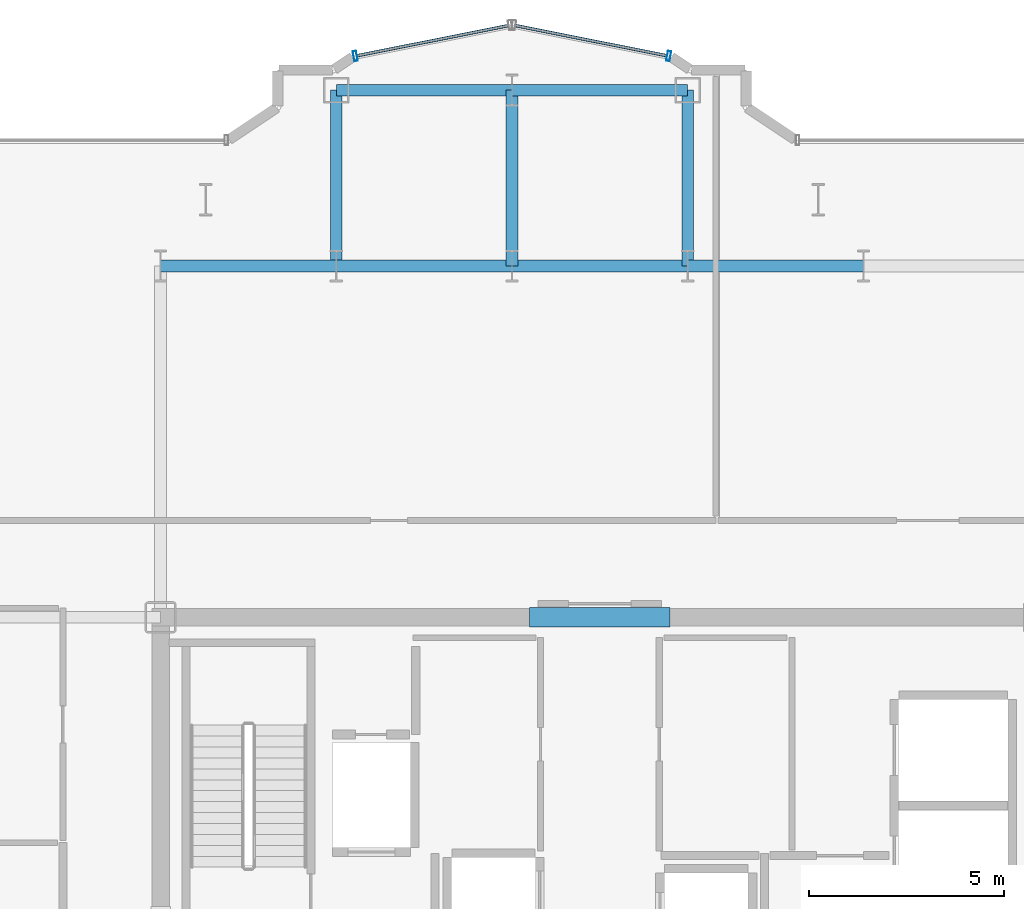
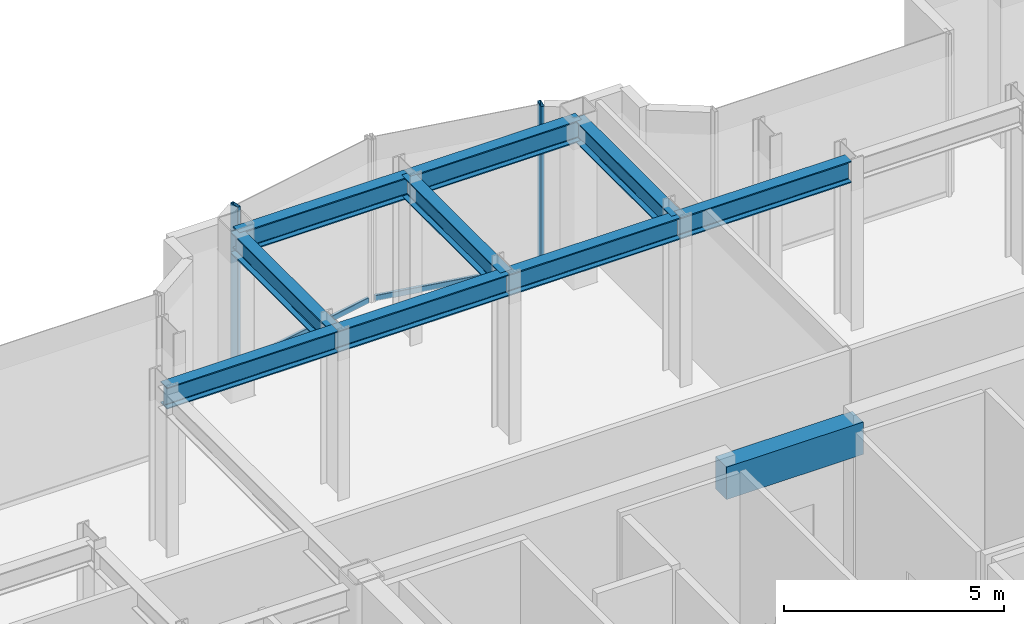
# One storey, part 9 of 20: 10 beams, 4 members, 2 elements without a shape of their own.
"""IFC4 building model written with IfcOpenShell, lengths in metres."""

from ifc_helpers import new_model, si_unit, direction, frame, origin, origin_2d, place, context, subcontext, project, spatial, rectangle, hollow_rectangle, i_section, extrude, source, transform, mapped, material, layer, layer_set, material_profile, profile_set, type_object, element, aggregate, save


model = new_model("IFC4")

# Units and contexts
model_context = context("Model", 3, precision=1e-05, world=origin(), true_north=direction((0.0, 1.0)))
body_context = subcontext(model_context, "Body", "Model", "MODEL_VIEW")
ifc_project = project(units=[si_unit("LENGTHUNIT", "METRE"), si_unit("AREAUNIT", "SQUARE_METRE"), si_unit("VOLUMEUNIT", "CUBIC_METRE"), si_unit("PLANEANGLEUNIT", "RADIAN"), si_unit("MASSUNIT", "GRAM", prefix="KILO")], contexts=[model_context])

# Site, building, storey
site_placement = place(None, origin())
site = spatial("IfcSite", under=ifc_project, at=site_placement, CompositionType="ELEMENT")
building_placement = place(site_placement, origin())
building = spatial("IfcBuilding", under=site, at=building_placement, Name="Nefas-Gora Pilgrimage Tower", CompositionType="ELEMENT")
storey_placement = place(building_placement, frame((0.0, 0.0, 259.800048828125)))
storey = spatial("IfcBuildingStorey", under=building, at=storey_placement, Name="L65", CompositionType="ELEMENT", Elevation=259.800048828125)

# Beams
ifc_material_1 = material(Name="Concrete C50/60", Category="concrete")
ifc_material_profile_1 = material_profile(ifc_material_1, rectangle(XDim=0.5, YDim=0.89990234375, at=origin_2d()), Name="RC 500x900")
ifc_profile_set_1 = profile_set([ifc_material_profile_1], Name="Concrete C50/60")
beam_type_1 = type_object("IfcBeamType", Name="BM-LIN-RC900", PredefinedType="LINTEL", material=ifc_profile_set_1)
shared_shape_1 = source(origin(), body_context, "Body", "SweptSolid", [
    extrude(rectangle(XDim=0.5, YDim=0.89990234375, at=origin_2d()), origin(), (0.0, 0.0, 1.0), 3.60009765625),
])
beam_placement = place(storey_placement, frame((-1.800048828125, 9.0, 4.099853515625), z_axis=(1.0, 0.0, 0.0), x_axis=(0.0, 1.0, 0.0)))
element("IfcBeam", 1, at=beam_placement, inside=storey, type_object=beam_type_1, Name="L65 Core Coupling Lintel Beam N", PredefinedType="LINTEL", context=body_context, shape_type="MappedRepresentation", body=[
    mapped(shared_shape_1, transform((0.0, 0.0, 0.0), x_axis=(1.0, 0.0, 0.0), y_axis=(0.0, 1.0, 0.0), z_axis=(0.0, 0.0, 1.0), scale=1.0)),
])
ifc_material_2 = material(Name="Steel S355", Category="steel")
ifc_material_profile_2 = material_profile(ifc_material_2, i_section(OverallWidth=0.300048828125, OverallDepth=0.60009765625, WebThickness=0.015380859375, FlangeThickness=0.030029296875, FilletRadius=0.027099609375, at=origin_2d()), Name="HEB 600")
ifc_profile_set_2 = profile_set([ifc_material_profile_2], Name="Steel S355")
beam_type_2 = type_object("IfcBeamType", Name="BM-GIR-HEB600", PredefinedType="BEAM", material=ifc_profile_set_2)
shared_shape_2 = source(origin(), body_context, "Body", "SweptSolid", [
    extrude(i_section(OverallWidth=0.300048828125, OverallDepth=0.60009765625, WebThickness=0.015380859375, FlangeThickness=0.030029296875, FilletRadius=0.027099609375, at=origin_2d()), origin(), (0.0, 0.0, 1.0), 4.5),
])
for number, where, z_axis, x_axis, name in (
    (2, (-11.25, 18.0, 4.25), (1.0, 0.0, 0.0), (0.0, 1.0, 0.0), "L65 G-04 beam"),
    (3, (-6.75, 18.0, 4.25), (0.0, 1.0, 0.0), (-1.0, 0.0, 0.0), "L65 G-04 beam"),
    (4, (-6.75, 18.0, 4.25), (1.0, 0.0, 0.0), (0.0, 1.0, 0.0), "L65 G-04 beam"),
    (5, (-6.75, 22.5, 4.25), (1.0, 0.0, 0.0), (0.0, 1.0, 0.0), "L65 G-04 beam"),
    (6, (-2.25, 18.0, 4.25), (0.0, 1.0, 0.0), (-1.0, 0.0, 0.0), "L65 G-04 beam"),
    (7, (-2.25, 18.0, 4.25), (1.0, 0.0, 0.0), (0.0, 1.0, 0.0), "L65 G-04 beam"),
    (8, (-2.25, 22.5, 4.25), (1.0, 0.0, 0.0), (0.0, 1.0, 0.0), "L65 G-04 beam"),
    (9, (2.25, 18.0, 4.25), (0.0, 1.0, 0.0), (-1.0, 0.0, 0.0), "L65 G-04 beam"),
    (10, (2.25, 18.0, 4.25), (1.0, 0.0, 0.0), (0.0, 1.0, 0.0), "L65 G-04 beam"),
):
    element("IfcBeam", number, at=place(storey_placement, frame(where, z_axis=z_axis, x_axis=x_axis)), inside=storey, type_object=beam_type_2, Name=name, PredefinedType="BEAM", context=body_context, shape_type="MappedRepresentation", body=[
        mapped(shared_shape_2, transform((0.0, 0.0, 0.0), x_axis=(1.0, 0.0, 0.0), y_axis=(0.0, 1.0, 0.0), z_axis=(0.0, 0.0, 1.0), scale=1.0)),
    ])

# Curtain wall, member
ifc_material_3 = material(Name="Dark ceramic-fritted solar-control aluminium-glass curtain wall", Category="aluminium")
ifc_layer = layer(ifc_material_3, 0.219970703125)
ifc_layer_set = layer_set([ifc_layer], Name="Dark ceramic-fritted solar-control aluminium-glass curtain wall")
curtain_wall_type = type_object("IfcCurtainWallType", Name="CW-SYS-5", PredefinedType="NOTDEFINED", material=ifc_layer_set)
curtain_wall_1_placement = place(storey_placement, origin())
curtain_wall_1 = element("IfcCurtainWall", 11, at=curtain_wall_1_placement, inside=storey, type_object=curtain_wall_type, Name="L65 Unitised Curtain Wall CW5", PredefinedType="NOTDEFINED")
ifc_material_4 = material(Name="Anodised architectural aluminium", Category="aluminium")
ifc_material_profile_3 = material_profile(ifc_material_4, hollow_rectangle(XDim=0.080078125, YDim=0.159912109375, WallThickness=0.00439453125, InnerFilletRadius=0.00439453125, OuterFilletRadius=0.009033203125, at=origin_2d()), Name="ALU TRANSOM 80x160")
ifc_profile_set_3 = profile_set([ifc_material_profile_3], Name="Anodised architectural aluminium")
member_type_1 = type_object("IfcMemberType", Name="CWM-TRN-5", PredefinedType="USERDEFINED", material=ifc_profile_set_3)
shared_shape_3 = source(origin(), body_context, "Body", "SweptSolid", [
    extrude(hollow_rectangle(XDim=0.080078125, YDim=0.159912109375, WallThickness=0.00439453125, InnerFilletRadius=0.00439453125, OuterFilletRadius=0.009033203125, at=origin_2d()), origin(), (0.0, 0.0, 1.0), 3.95654296875),
])
member_1_placement = place(storey_placement, frame((1.718994140625, 23.3828125, 0.050048828125), z_axis=(-0.980781880918, 0.195107411605, 0.0), x_axis=(-0.195107411605, -0.980781880918, 0.0)))
member_1 = element("IfcMember", 12, at=member_1_placement, type_object=member_type_1, Name="CW5 Spandrel Transom", ObjectType="TRANSOM", PredefinedType="USERDEFINED", context=body_context, shape_type="MappedRepresentation", body=[
    mapped(shared_shape_3, transform((0.0, 0.0, 0.0), x_axis=(1.0, 0.0, 0.0), y_axis=(0.0, 1.0, 0.0), z_axis=(0.0, 0.0, 1.0), scale=1.0)),
])

curtain_wall_2_placement = place(storey_placement, origin())
curtain_wall_2 = element("IfcCurtainWall", 13, at=curtain_wall_2_placement, inside=storey, type_object=curtain_wall_type, Name="L65 Unitised Curtain Wall CW5", PredefinedType="NOTDEFINED")
member_2_placement = place(storey_placement, frame((-2.33837890625, 24.15478515625, 0.050048828125), z_axis=(-0.980781880918, -0.195107411605, 0.0), x_axis=(0.195107411605, -0.980781880918, 0.0)))
member_2 = element("IfcMember", 14, at=member_2_placement, type_object=member_type_1, Name="CW5 Spandrel Transom", ObjectType="TRANSOM", PredefinedType="USERDEFINED", context=body_context, shape_type="MappedRepresentation", body=[
    mapped(shared_shape_3, transform((0.0, 0.0, 0.0), x_axis=(1.0, 0.0, 0.0), y_axis=(0.0, 1.0, 0.0), z_axis=(0.0, 0.0, 1.0), scale=1.0)),
])

# Member
ifc_material_profile_4 = material_profile(ifc_material_4, hollow_rectangle(XDim=0.090087890625, YDim=0.260009765625, WallThickness=0.006103515625, InnerFilletRadius=0.006103515625, OuterFilletRadius=0.011962890625, at=origin_2d()), Name="ALU MULLION 90x260")
ifc_profile_set_4 = profile_set([ifc_material_profile_4], Name="Anodised architectural aluminium")
member_type_2 = type_object("IfcMemberType", Name="CWM-MUL-5", PredefinedType="MULLION", material=ifc_profile_set_4)
shared_shape_4 = source(origin(), body_context, "Body", "SweptSolid", [
    extrude(hollow_rectangle(XDim=0.090087890625, YDim=0.260009765625, WallThickness=0.006103515625, InnerFilletRadius=0.006103515625, OuterFilletRadius=0.011962890625, at=origin_2d()), origin(), (0.0, 0.0, 1.0), 4.550048828125),
])
member_3_placement = place(storey_placement, frame((1.76318359375, 23.3740234375, 0.0), z_axis=(0.0, 0.0, 1.0), x_axis=(-0.980782896852, 0.195102304554, 0.0)))
member_3 = element("IfcMember", 15, at=member_3_placement, type_object=member_type_2, Name="CW5 Mullion 1", PredefinedType="MULLION", context=body_context, shape_type="MappedRepresentation", body=[
    mapped(shared_shape_4, transform((0.0, 0.0, 0.0), x_axis=(1.0, 0.0, 0.0), y_axis=(0.0, 1.0, 0.0), z_axis=(0.0, 0.0, 1.0), scale=1.0)),
])

aggregate(curtain_wall_1, [member_3, member_1])

member_4_placement = place(storey_placement, frame((-6.26318359375, 23.3740234375, 0.0), z_axis=(0.0, 0.0, 1.0), x_axis=(-0.980782896852, -0.195102304554, 0.0)))
member_4 = element("IfcMember", 16, at=member_4_placement, type_object=member_type_2, Name="CW5 Mullion 2", PredefinedType="MULLION", context=body_context, shape_type="MappedRepresentation", body=[
    mapped(shared_shape_4, transform((0.0, 0.0, 0.0), x_axis=(1.0, 0.0, 0.0), y_axis=(0.0, 1.0, 0.0), z_axis=(0.0, 0.0, 1.0), scale=1.0)),
])

aggregate(curtain_wall_2, [member_4, member_2])

save(model, "model.ifc")
